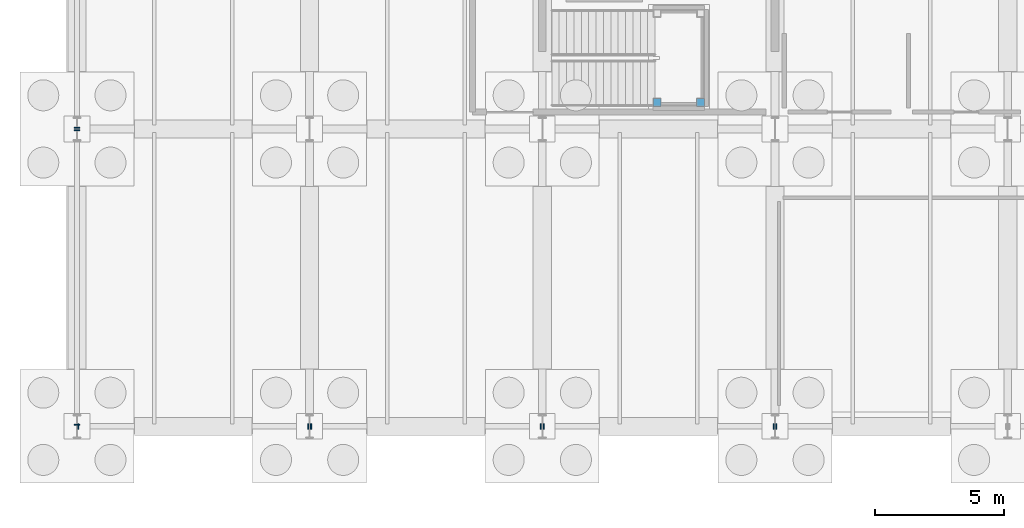
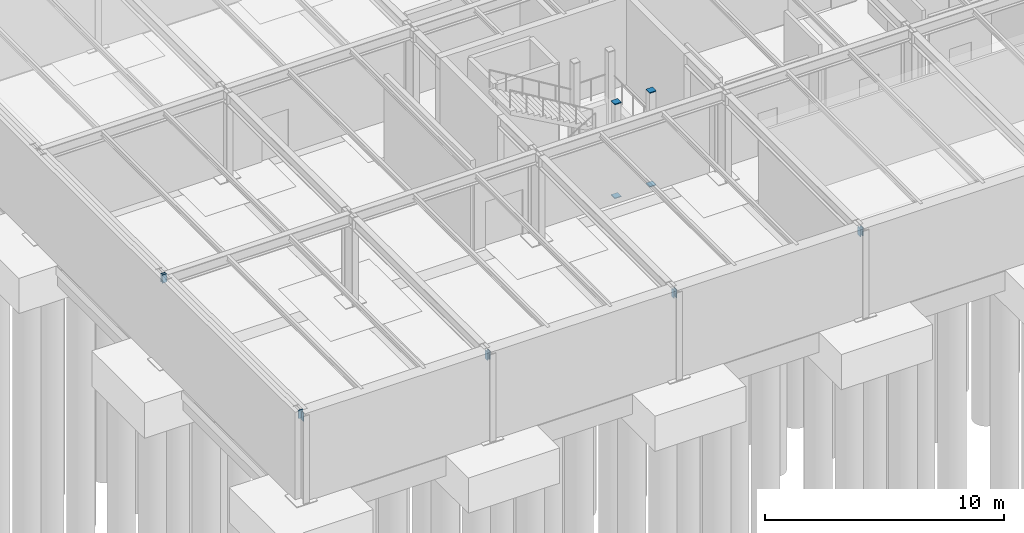
# One storey, part 11 of 19: 14 discrete accessories.
"""IFC4 building model written with IfcOpenShell, lengths in metres."""

from ifc_helpers import new_model, si_unit, direction, frame, origin, origin_2d, place, context, subcontext, project, spatial, rectangle, extrude, material, element, save


model = new_model("IFC4")

# Units and contexts
model_context = context("Model", 3, precision=1e-05, world=origin(), true_north=direction((0.0, 1.0)))
body_context = subcontext(model_context, "Body", "Model", "MODEL_VIEW")
ifc_project = project(units=[si_unit("LENGTHUNIT", "METRE"), si_unit("AREAUNIT", "SQUARE_METRE"), si_unit("VOLUMEUNIT", "CUBIC_METRE"), si_unit("PLANEANGLEUNIT", "RADIAN"), si_unit("MASSUNIT", "GRAM", prefix="KILO")], contexts=[model_context])

# Site, building, storey
site_placement = place(None, origin())
site = spatial("IfcSite", under=ifc_project, at=site_placement, CompositionType="ELEMENT")
building_placement = place(site_placement, origin())
building = spatial("IfcBuilding", under=site, at=building_placement, Name="Marlcrest Central Station", CompositionType="ELEMENT")
storey_placement = place(building_placement, frame((0.0, 0.0, -4.800048828125)))
storey = spatial("IfcBuildingStorey", under=building, at=storey_placement, Name="B1", CompositionType="ELEMENT", Elevation=-4.800048828125)

# Discrete accessories
ifc_material = material(Name="Steel S355", Category="steel")
for number, where, z_axis, x_axis, name in (
    (1, (0.03515625, 99.0, 4.195068359375), (1.0, 0.0, 0.0), (0.0, 1.0, 0.0), "endcap-bm-SP-01-B1-00001-s"),
    (2, (8.925048828125, 99.0, 4.195068359375), (1.0, 0.0, 0.0), (0.0, 1.0, 0.0), "endcap-bm-SP-01-B1-00001-e"),
    (3, (9.03515625, 99.0, 4.195068359375), (1.0, 0.0, 0.0), (0.0, 1.0, 0.0), "endcap-bm-SP-01-B1-00002-s"),
    (4, (17.925048828125, 99.0, 4.195068359375), (1.0, 0.0, 0.0), (0.0, 1.0, 0.0), "endcap-bm-SP-01-B1-00002-e"),
    (5, (18.03515625, 99.0, 4.195068359375), (1.0, 0.0, 0.0), (0.0, 1.0, 0.0), "endcap-bm-SP-01-B1-00003-s"),
    (6, (26.925048828125, 99.0, 4.195068359375), (1.0, 0.0, 0.0), (0.0, 1.0, 0.0), "endcap-bm-SP-01-B1-00003-e"),
    (7, (27.03515625, 99.0, 4.195068359375), (1.0, 0.0, 0.0), (0.0, 1.0, 0.0), "endcap-bm-SP-01-B1-00004-s"),
    (8, (0.0, 99.03515625, 4.300048828125), (0.0, 1.0, 0.0), (-1.0, 0.0, 0.0), "endcap-bm-SP-01-B1-00033-s"),
    (9, (0.0, 110.425048828125, 4.300048828125), (0.0, 1.0, 0.0), (-1.0, 0.0, 0.0), "endcap-bm-SP-01-B1-00033-e"),
    (10, (0.0, 110.53515625, 4.300048828125), (0.0, 1.0, 0.0), (-1.0, 0.0, 0.0), "endcap-bm-SP-01-B1-00034-s"),
):
    element("IfcDiscreteAccessory", number, at=place(storey_placement, frame(where, z_axis=z_axis, x_axis=x_axis)), inside=storey, material=ifc_material, Name=name, ObjectType="END_CAP_PLATE", PredefinedType="BRACKET", context=body_context, shape_type="SweptSolid", body=[
        extrude(rectangle(XDim=0.216064453125, YDim=0.416015625, at=origin_2d()), origin(), (0.0, 0.0, 1.0), 0.0400390625),
    ])
for number, where, z_axis, x_axis, name in (
    (11, (22.43994140625, 111.530029296875, -0.014892578125), (0.0, 0.0, 1.0), (1.0, 0.0, 0.0), "endcap-htcol-b1-0042-0-s"),
    (12, (22.43994140625, 111.530029296875, 4.775146484375), (0.0, 0.0, 1.0), (1.0, 0.0, 0.0), "endcap-htcol-b1-0042-0-e"),
    (13, (24.1201171875, 111.530029296875, -0.014892578125), (0.0, 0.0, 1.0), (1.0, 0.0, 0.0), "endcap-htcol-b1-0042-1-s"),
    (14, (24.1201171875, 111.530029296875, 4.775146484375), (0.0, 0.0, 1.0), (1.0, 0.0, 0.0), "endcap-htcol-b1-0042-1-e"),
):
    element("IfcDiscreteAccessory", number, at=place(storey_placement, frame(where, z_axis=z_axis, x_axis=x_axis)), inside=storey, material=ifc_material, Name=name, ObjectType="END_CAP_PLATE", PredefinedType="BRACKET", context=body_context, shape_type="SweptSolid", body=[
        extrude(rectangle(XDim=0.31591796875, YDim=0.31591796875, at=origin_2d()), origin(), (0.0, 0.0, 1.0), 0.0400390625),
    ])

save(model, "model.ifc")
